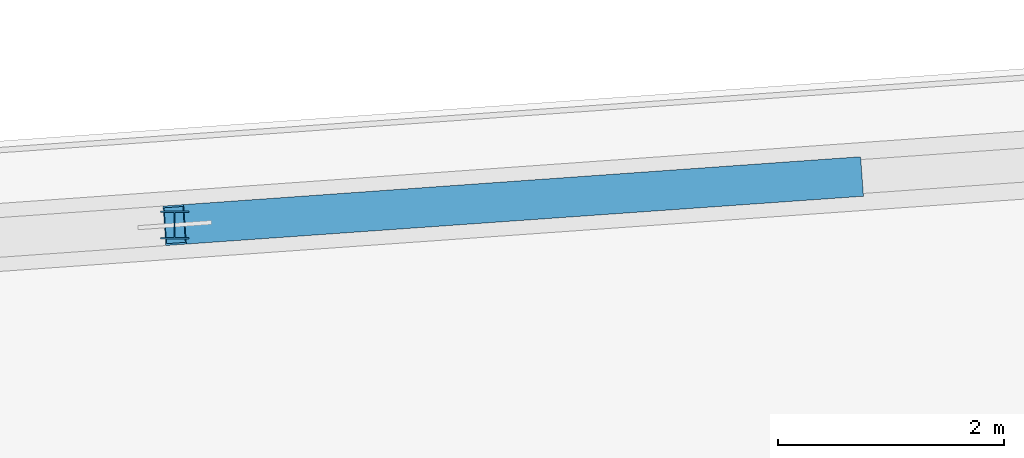
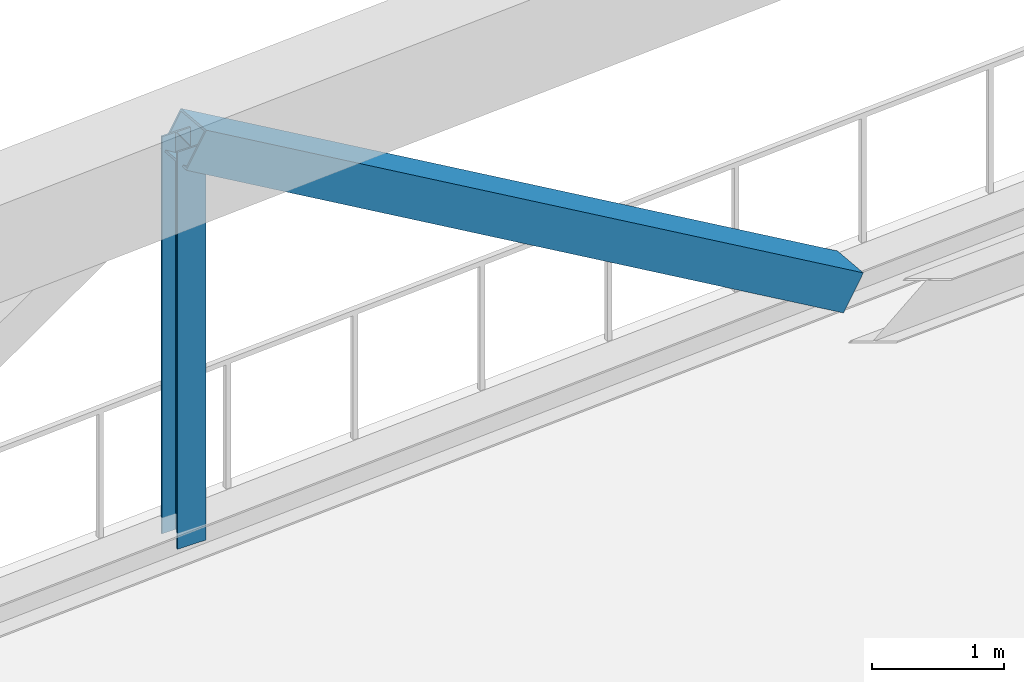
# One storey, part 7 of 23: 2 members.
"""IFC4 building model written with IfcOpenShell, lengths in metres."""

from ifc_helpers import new_model, si_unit, direction, frame, origin, origin_2d, place, context, subcontext, project, spatial, hollow_rectangle, i_section, extrude, source, transform, mapped, material, material_profile, profile_set, type_object, element, save


model = new_model("IFC4")

# Units and contexts
model_context = context("Model", 3, precision=1e-05, world=origin(), true_north=direction((0.0, 1.0)))
body_context = subcontext(model_context, "Body", "Model", "MODEL_VIEW")
ifc_project = project(units=[si_unit("LENGTHUNIT", "METRE"), si_unit("AREAUNIT", "SQUARE_METRE"), si_unit("VOLUMEUNIT", "CUBIC_METRE"), si_unit("PLANEANGLEUNIT", "RADIAN"), si_unit("MASSUNIT", "GRAM", prefix="KILO")], contexts=[model_context])

# Site, building, storey
site_placement = place(None, origin())
site = spatial("IfcSite", under=ifc_project, at=site_placement, CompositionType="ELEMENT")
building_placement = place(site_placement, origin())
building = spatial("IfcBuilding", under=site, at=building_placement, Name="Liaohun Quay Tower", CompositionType="ELEMENT")
storey_placement = place(building_placement, frame((0.0, 0.0, 139.5)))
storey = spatial("IfcBuildingStorey", under=building, at=storey_placement, Name="L36", CompositionType="ELEMENT", Elevation=139.5)

# Members
ifc_material = material(Name="Steel Q355D", Category="steel")
ifc_material_profile_1 = material_profile(ifc_material, i_section(OverallWidth=0.25, OverallDepth=0.25, WebThickness=0.009033203125, FlangeThickness=0.013916015625, at=origin_2d()), Name="HW250x250x9x14")
ifc_profile_set_1 = profile_set([ifc_material_profile_1], Name="Steel Q355D")
member_type_1 = type_object("IfcMemberType", Name="MEM-BLT-PST", PredefinedType="POST", material=ifc_profile_set_1)
shared_shape_1 = source(origin(), body_context, "Body", "SweptSolid", [
    extrude(i_section(OverallWidth=0.25, OverallDepth=0.25, WebThickness=0.009033203125, FlangeThickness=0.013916015625, at=origin_2d()), origin(), (0.0, 0.0, 1.0), 3.669921875),
])
member_1_placement = place(storey_placement, frame((43.64697265625, 79.04296875, 0.35009765625), z_axis=(0.0, 0.0, 1.0), x_axis=(1.0, 0.0, 0.0)))
element("IfcMember", 1, at=member_1_placement, inside=storey, type_object=member_type_1, Name="L36 Belt Truss Vertical Post BP-1-03", PredefinedType="POST", context=body_context, shape_type="MappedRepresentation", body=[
    mapped(shared_shape_1, transform((0.0, 0.0, 0.0), x_axis=(1.0, 0.0, 0.0), y_axis=(0.0, 1.0, 0.0), z_axis=(0.0, 0.0, 1.0), scale=1.0)),
])
ifc_material_profile_2 = material_profile(ifc_material, hollow_rectangle(XDim=0.35009765625, YDim=0.35009765625, WallThickness=0.01611328125, at=origin_2d()), Name="SHS350x350x16")
ifc_profile_set_2 = profile_set([ifc_material_profile_2], Name="Steel Q355D")
member_type_2 = type_object("IfcMemberType", Name="MEM-BLT-DG2", PredefinedType="BRACE", material=ifc_profile_set_2)
shared_shape_2 = source(origin(), body_context, "Body", "SweptSolid", [
    extrude(hollow_rectangle(XDim=0.35009765625, YDim=0.35009765625, WallThickness=0.01611328125, at=origin_2d()), origin(), (0.0, 0.0, 1.0), 7.033447265625),
])
member_2_placement = place(storey_placement, frame((43.64697265625, 79.04296875, 4.02001953125), z_axis=(0.850953940732, 0.060155136826, -0.521784198943), x_axis=(-0.070515440436, 0.997510687993, 0.0)))
element("IfcMember", 2, at=member_2_placement, inside=storey, type_object=member_type_2, Name="L36 Belt Truss Diagonal BD-03B", PredefinedType="BRACE", context=body_context, shape_type="MappedRepresentation", body=[
    mapped(shared_shape_2, transform((0.0, 0.0, 0.0), x_axis=(1.0, 0.0, 0.0), y_axis=(0.0, 1.0, 0.0), z_axis=(0.0, 0.0, 1.0), scale=1.0)),
])

save(model, "model.ifc")
